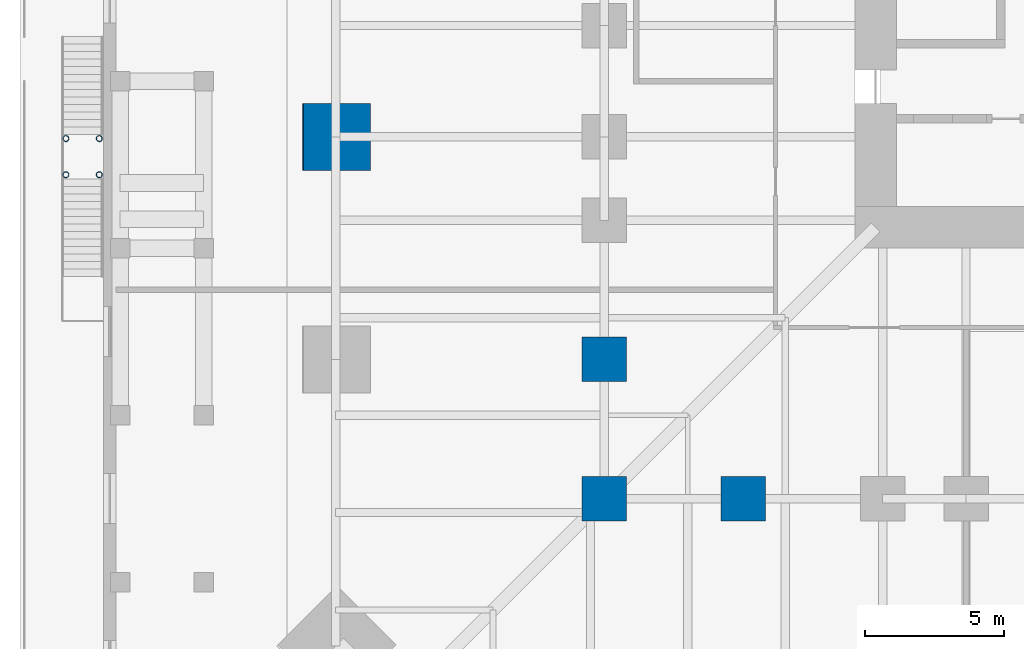
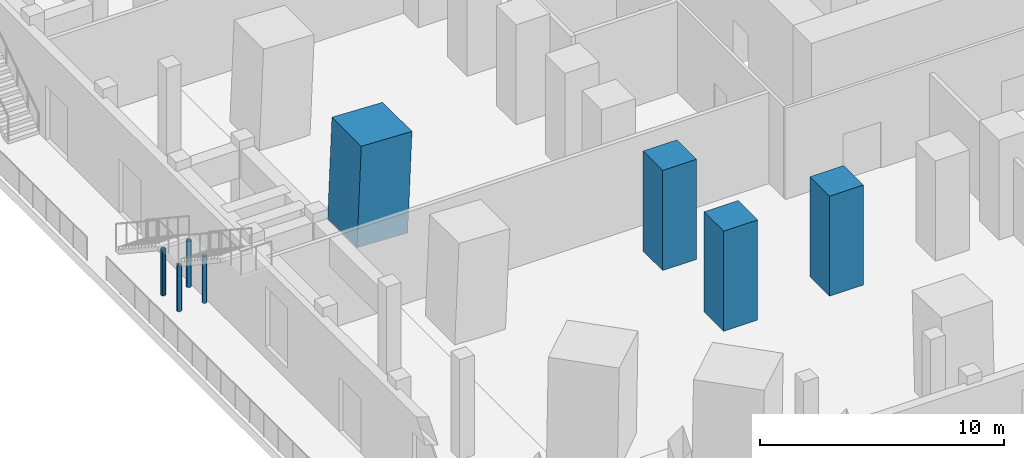
# One storey, part 2 of 22: 8 columns.
"""IFC4 building model written with IfcOpenShell, lengths in metres."""

import ifcopenshell
import ifcopenshell.guid

model = None  # the IFC model being written
_history = None  # IfcOwnerHistory: only IFC2X3 demands one
_inside = {}  # id of a spatial element -> (the spatial element, [elements in it])
_under = {}  # id of a project, library or spatial element -> (it, [spatial elements below it])
_declared = {}  # id of a project -> (the project, [libraries it declares])
_typed = {}  # id of a type object -> (the type object, [elements of that type])
_made_of = {}  # id of a material, layer set ... -> (it, [elements and type objects made of it])


def new_model(schema):
    """Start an empty IFC model of exactly this schema.

    Asked for "IFC4X3", IfcOpenShell would pick the latest addendum, in which some entities
    have other attributes; the version numbers below select the first issue.
    IFC2X3 requires an IfcOwnerHistory on every rooted entity: one is made here for all.
    """
    global model, _history
    if schema == "IFC4X3":
        model = ifcopenshell.file(schema_version=(4, 3, 0, 0))
    else:
        model = ifcopenshell.file(schema=schema)
    _inside.clear()
    _under.clear()
    _declared.clear()
    _typed.clear()
    _made_of.clear()
    _history = None
    if model.schema == "IFC2X3":
        org = make("IfcOrganization", Name="unknown")
        user = make(
            "IfcPersonAndOrganization",
            ThePerson=make("IfcPerson", FamilyName="unknown"),
            TheOrganization=org,
        )
        app = make(
            "IfcApplication",
            ApplicationDeveloper=org,
            Version="unknown",
            ApplicationFullName="unknown",
            ApplicationIdentifier="unknown",
        )
        _history = make(
            "IfcOwnerHistory",
            OwningUser=user,
            OwningApplication=app,
            ChangeAction="ADDED",
            CreationDate=0,
        )
    return model


def make(cls, **values):
    """One entity of the class cls with the attributes given. An attribute that is None is left unset."""
    return model.create_entity(
        cls, **{name: value for name, value in values.items() if value is not None}
    )


def rooted(cls, **values):
    """An entity with a GlobalId (a new one), such as an element, a storey or a relation."""
    return make(cls, GlobalId=ifcopenshell.guid.new(), OwnerHistory=_history, **values)


def si_unit(unit_type, name, prefix=None):
    """IfcSIUnit, for example si_unit("LENGTHUNIT", "METRE", prefix="MILLI")."""
    return make("IfcSIUnit", UnitType=unit_type, Prefix=prefix, Name=name)


def assignment(units):
    """IfcUnitAssignment: the units of a project."""
    return None if units is None else make("IfcUnitAssignment", Units=units)


def point(xyz):
    """IfcCartesianPoint."""
    return None if xyz is None else make("IfcCartesianPoint", Coordinates=xyz)


def direction(xyz):
    """IfcDirection."""
    return None if xyz is None else make("IfcDirection", DirectionRatios=xyz)


def frame(location, z_axis=None, x_axis=None):
    """IfcAxis2Placement3D, a coordinate frame: its origin and axes. An axis left out is left unset."""
    return make(
        "IfcAxis2Placement3D",
        Location=point(location),
        Axis=direction(z_axis),
        RefDirection=direction(x_axis),
    )


def frame_2d(location, x_axis=None):
    """IfcAxis2Placement2D, a coordinate frame in the plane: its origin and x axis."""
    return make(
        "IfcAxis2Placement2D", Location=point(location), RefDirection=direction(x_axis)
    )


def origin():
    """The frame at (0, 0, 0) with its axes left unset."""
    return frame((0.0, 0.0, 0.0))


def origin_2d():
    """The frame at (0, 0) in the plane with its x axis left unset."""
    return frame_2d((0.0, 0.0))


def place(relative_to, where):
    """IfcLocalPlacement: puts the frame where relative to a parent placement (None: the world)."""
    return make(
        "IfcLocalPlacement", PlacementRelTo=relative_to, RelativePlacement=where
    )


def context(
    kind, dimensions, precision=None, world=None, true_north=None, identifier=None
):
    """IfcGeometricRepresentationContext, for example the 3D "Model" context."""
    return make(
        "IfcGeometricRepresentationContext",
        ContextIdentifier=identifier,
        ContextType=kind,
        CoordinateSpaceDimension=dimensions,
        Precision=precision,
        WorldCoordinateSystem=world,
        TrueNorth=true_north,
    )


def subcontext(parent, identifier, kind, view, scale=None):
    """IfcGeometricRepresentationSubContext, for example "Body" below "Model"."""
    return make(
        "IfcGeometricRepresentationSubContext",
        ContextIdentifier=identifier,
        ContextType=kind,
        ParentContext=parent,
        TargetScale=scale,
        TargetView=view,
    )


def project(units=None, contexts=None):
    """IfcProject with its units and contexts."""
    return rooted(
        "IfcProject",
        Name="project",
        RepresentationContexts=contexts,
        UnitsInContext=assignment(units),
    )


def spatial(cls, under=None, at=None, **own):
    """A site, building, storey or space (cls), placed at a placement, below another one or the project."""
    s = rooted(cls, ObjectPlacement=at, **own)
    if under is not None:
        _under.setdefault(under.id(), (under, []))[1].append(s)
    return s


def profile(cls, at=None, kind="AREA", **sizes):
    """A parametric profile (cls). Its sizes go by their IFC names, for example OverallWidth=200.0."""
    return make(cls, ProfileType=kind, Position=at, **sizes)


def rectangle(**sizes):
    """IfcRectangleProfileDef."""
    return profile("IfcRectangleProfileDef", **sizes)


def hollow_circle(**sizes):
    """IfcCircleHollowProfileDef."""
    return profile("IfcCircleHollowProfileDef", **sizes)


def extrude(swept, where, along, depth):
    """IfcExtrudedAreaSolid: the profile swept, set in the frame where, extruded along a direction by depth."""
    return make(
        "IfcExtrudedAreaSolid",
        SweptArea=swept,
        Position=where,
        ExtrudedDirection=direction(along),
        Depth=depth,
    )


def shape(context_of_items, identifier, shape_type, items):
    """IfcShapeRepresentation: the items that make up one representation, for example the "Body"."""
    return make(
        "IfcShapeRepresentation",
        ContextOfItems=context_of_items,
        RepresentationIdentifier=identifier,
        RepresentationType=shape_type,
        Items=items,
    )


def material(Name=None, Category=None):
    """IfcMaterial."""
    return make("IfcMaterial", Name=Name, Category=Category)


def material_profile(
    of_material, cross_section, Name=None, Category=None, Priority=None
):
    """IfcMaterialProfile: a cross section and its material."""
    return make(
        "IfcMaterialProfile",
        Name=Name,
        Material=of_material,
        Profile=cross_section,
        Priority=Priority,
        Category=Category,
    )


def profile_set(profiles, Name=None, composite=None):
    """IfcMaterialProfileSet."""
    return make(
        "IfcMaterialProfileSet",
        Name=Name,
        MaterialProfiles=profiles,
        CompositeProfile=composite,
    )


def made_of(thing, what):
    """Note that an element or type object is made of a material, layer set ...; save() writes the relation."""
    if what is not None:
        _made_of.setdefault(what.id(), (what, []))[1].append(thing)
    return thing


def type_object(cls, material=None, **own):
    """A type object (cls), such as IfcWallType, which elements share."""
    return made_of(rooted(cls, **own), material)


def element(
    cls,
    number,
    at=None,
    inside=None,
    cuts=None,
    type_object=None,
    material=None,
    context=None,
    identifier="Body",
    shape_type=None,
    held_by="IfcProductDefinitionShape",
    body=None,
    shapes=None,
    **own,
):
    """One element of the class cls, such as IfcWall. Its Tag is "e" and its number.

    at: its placement. inside: the storey or other place that contains it. cuts: it is an
    opening in that element (IfcRelVoidsElement). A single representation is given by context,
    identifier, shape_type and body (its items); several are given by shapes. held_by: the class
    of the entity that holds the representations. save() writes the other relations.
    """
    e = rooted(cls, Tag="e%d" % number, ObjectPlacement=at, **own)
    if body is not None:
        shapes = [shape(context, identifier, shape_type, body)]
    if shapes is not None:
        e.Representation = make(held_by, Representations=shapes)
    if inside is not None:
        _inside.setdefault(inside.id(), (inside, []))[1].append(e)
    if cuts is not None:
        rooted(
            "IfcRelVoidsElement", RelatingBuildingElement=cuts, RelatedOpeningElement=e
        )
    if type_object is not None:
        _typed.setdefault(type_object.id(), (type_object, []))[1].append(e)
    return made_of(e, material)


def aggregate(whole, parts):
    """IfcRelAggregates: a whole, such as a stair, and the parts it consists of."""
    return rooted("IfcRelAggregates", RelatingObject=whole, RelatedObjects=parts)


def save(model, path):
    """Write the relations noted so far, then the file.

    IfcRelAggregates (storeys below a building ...), IfcRelContainedInSpatialStructure (elements
    in a storey), IfcRelDefinesByType, IfcRelAssociatesMaterial and IfcRelDeclares: one each for
    every whole, place, type object, material and project.
    """
    for whole, parts in _under.values():
        aggregate(whole, parts)
    for where, things in _inside.values():
        rooted(
            "IfcRelContainedInSpatialStructure",
            RelatedElements=things,
            RelatingStructure=where,
        )
    for kind, things in _typed.values():
        rooted("IfcRelDefinesByType", RelatedObjects=things, RelatingType=kind)
    for what, things in _made_of.values():
        rooted("IfcRelAssociatesMaterial", RelatedObjects=things, RelatingMaterial=what)
    for by, libraries in _declared.values():
        rooted("IfcRelDeclares", RelatingContext=by, RelatedDefinitions=libraries)
    model.write(path)


model = new_model("IFC4")

# Units and contexts
model_context = context("Model", 3, precision=1e-05, world=origin(), true_north=direction((0.0, 1.0)))
body_context = subcontext(model_context, "Body", "Model", "MODEL_VIEW")
ifc_project = project(units=[si_unit("LENGTHUNIT", "METRE"), si_unit("AREAUNIT", "SQUARE_METRE"), si_unit("VOLUMEUNIT", "CUBIC_METRE"), si_unit("PLANEANGLEUNIT", "RADIAN"), si_unit("MASSUNIT", "GRAM", prefix="KILO")], contexts=[model_context])

# Site, building, storey
site_placement = place(None, origin())
site = spatial("IfcSite", under=ifc_project, at=site_placement, CompositionType="ELEMENT")
building_placement = place(site_placement, origin())
building = spatial("IfcBuilding", under=site, at=building_placement, Name="Peilmerk Tower", CompositionType="ELEMENT")
storey_placement = place(building_placement, frame((0.0, 0.0, 6.0)))
storey = spatial("IfcBuildingStorey", under=building, at=storey_placement, Name="L01", CompositionType="ELEMENT", Elevation=6.0)

# Columns
ifc_material_1 = material(Name="Concrete C90/105", Category="concrete")
ifc_material_profile_1 = material_profile(ifc_material_1, rectangle(XDim=2.39990234375, YDim=2.39990234375, at=origin_2d()), Name="RC 2400x2400")
ifc_profile_set_1 = profile_set([ifc_material_profile_1], Name="Concrete C90/105")
column_type_1 = type_object("IfcColumnType", Name="SC1 2400x2400 encased perimeter column", PredefinedType="COLUMN", material=ifc_profile_set_1)
column_placement = place(storey_placement, frame((-30.65478515625, -8.0, 0.0), z_axis=(0.040299267708, 0.0, 0.999187654559), x_axis=(0.0, 1.0, 0.0)))
element("IfcColumn", 1, at=column_placement, inside=storey, type_object=column_type_1, Name="Perimeter column W+8 L01", PredefinedType="COLUMN", context=body_context, shape_type="SweptSolid", body=[
    extrude(rectangle(XDim=2.39990234375, YDim=2.39990234375, at=origin_2d()), origin(), (0.0, 0.0, 1.0), 5.004150390625),
])
ifc_material_2 = material(Name="Steel S355", Category="steel")
ifc_material_profile_2 = material_profile(ifc_material_2, hollow_circle(Radius=0.109619140625, WallThickness=0.012451171875, at=origin_2d()), Name="CHS 219.1x12.5")
ifc_profile_set_2 = profile_set([ifc_material_profile_2], Name="Steel S355")
column_type_2 = type_object("IfcColumnType", Name="SC12 CHS 219.1x12.5 external stair post", PredefinedType="COLUMN", material=ifc_profile_set_2)
for number, where, z_axis, x_axis, name in (
    (2, (-40.35009765625, -9.360107421875, 0.0), (0.0, 0.0, 1.0), (1.0, 0.0, 0.0), "External stair 6 post L01"),
    (3, (-39.14990234375, -9.360107421875, 0.0), (0.0, 0.0, 1.0), (1.0, 0.0, 0.0), "External stair 6 post L01"),
    (4, (-40.35009765625, -8.06005859375, 0.0), (0.0, 0.0, 1.0), (1.0, 0.0, 0.0), "External stair 6 post L01"),
    (5, (-39.14990234375, -8.06005859375, 0.0), (0.0, 0.0, 1.0), (1.0, 0.0, 0.0), "External stair 6 post L01"),
):
    element("IfcColumn", number, at=place(storey_placement, frame(where, z_axis=z_axis, x_axis=x_axis)), inside=storey, type_object=column_type_2, Name=name, PredefinedType="COLUMN", context=body_context, shape_type="SweptSolid", body=[
        extrude(hollow_circle(Radius=0.109619140625, WallThickness=0.012451171875, at=origin_2d()), origin(), (0.0, 0.0, 1.0), 2.300048828125),
    ])
ifc_material_profile_3 = material_profile(ifc_material_1, rectangle(XDim=1.60009765625, YDim=1.60009765625, at=origin_2d()), Name="RC 1600x1600")
ifc_profile_set_3 = profile_set([ifc_material_profile_3], Name="Concrete C90/105")
column_type_3 = type_object("IfcColumnType", Name="SC2 1600x1600 encased interior column", PredefinedType="COLUMN", material=ifc_profile_set_3)
for number, where, z_axis, x_axis, name in (
    (6, (-16.0, -21.0, 0.0), (0.0, 0.0, 1.0), (1.0, 0.0, 0.0), "Interior column S-16 L01"),
    (7, (-21.0, -16.0, 0.0), (0.0, 0.0, 1.0), (1.0, 0.0, 0.0), "Interior column W+16 L01"),
    (8, (-21.0, -21.0, 0.0), (0.0, 0.0, 1.0), (1.0, 0.0, 0.0), "Interior column SW L01"),
):
    element("IfcColumn", number, at=place(storey_placement, frame(where, z_axis=z_axis, x_axis=x_axis)), inside=storey, type_object=column_type_3, Name=name, PredefinedType="COLUMN", context=body_context, shape_type="SweptSolid", body=[
        extrude(rectangle(XDim=1.60009765625, YDim=1.60009765625, at=origin_2d()), origin(), (0.0, 0.0, 1.0), 5.0),
    ])

save(model, "model.ifc")
